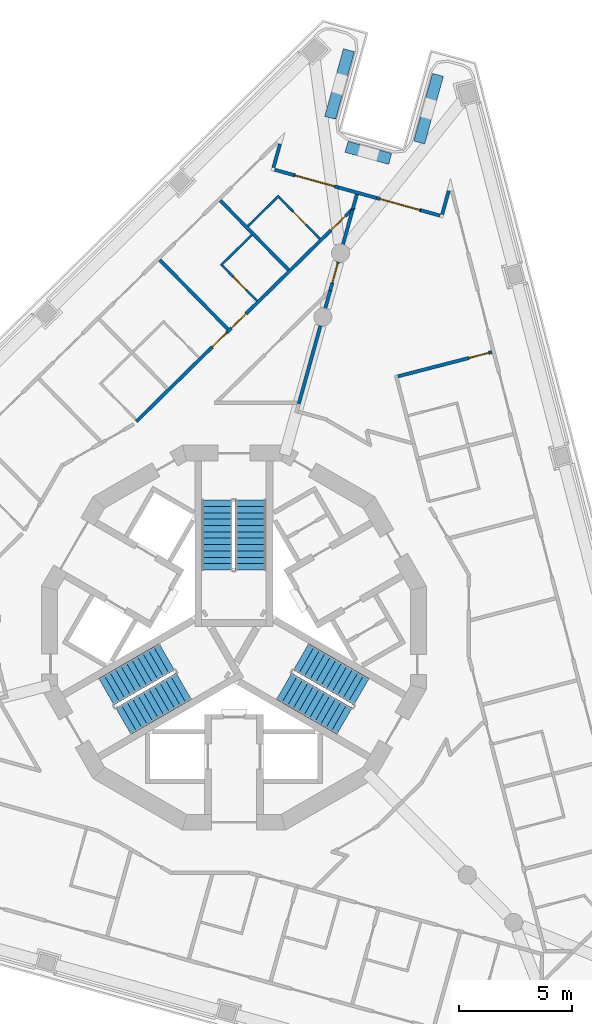
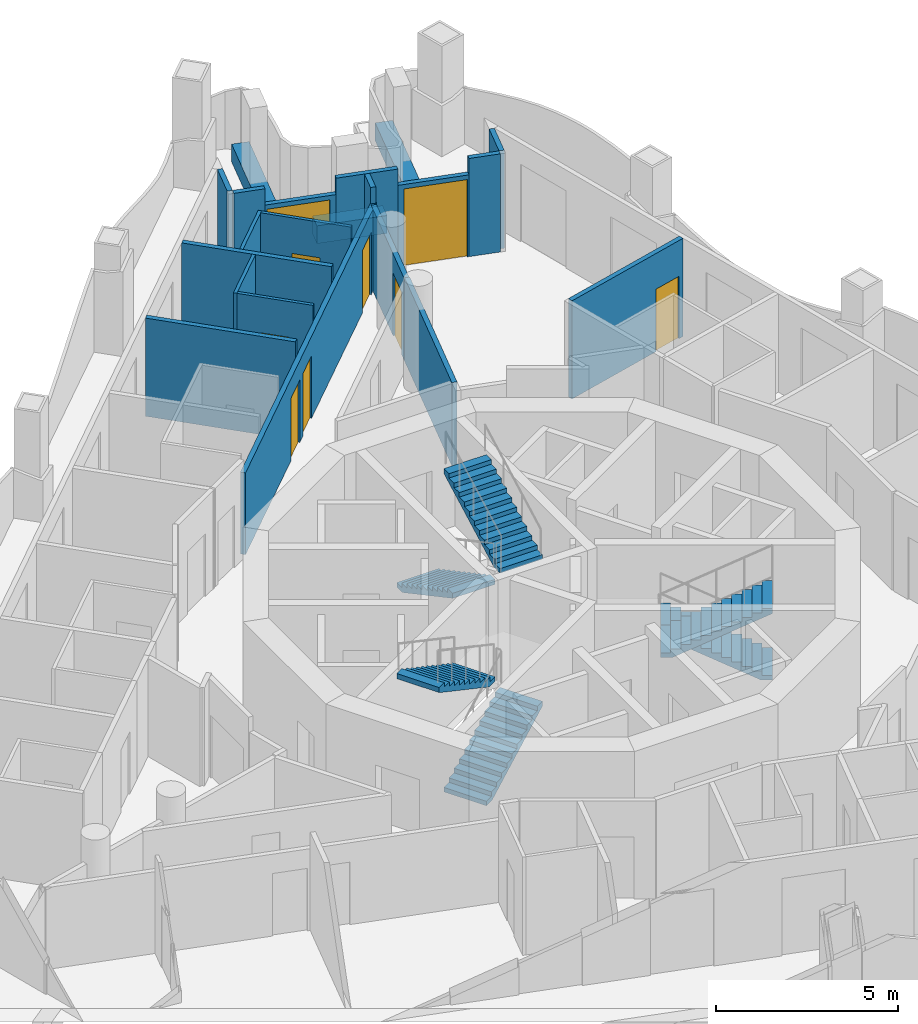
# One storey, part 8 of 14: 21 walls, 9 doors, 6 stair flights, 9 openings, 3 elements without a shape of their own.
"""IFC4 building model written with IfcOpenShell, lengths in metres."""

from ifc_helpers import new_model, si_unit, direction, frame, frame_2d, origin, place, context, subcontext, project, spatial, polyline, rectangle, outline, extrude, material, layer, layer_set, type_object, element, fill, aggregate, save


model = new_model("IFC4")

# Units and contexts
model_context = context("Model", 3, precision=1e-05, world=origin(), true_north=direction((0.0, 1.0)))
body_context = subcontext(model_context, "Body", "Model", "MODEL_VIEW")
ifc_project = project(units=[si_unit("LENGTHUNIT", "METRE"), si_unit("AREAUNIT", "SQUARE_METRE"), si_unit("VOLUMEUNIT", "CUBIC_METRE"), si_unit("PLANEANGLEUNIT", "RADIAN"), si_unit("MASSUNIT", "GRAM", prefix="KILO")], contexts=[model_context])

# Site, building, storey
site_placement = place(None, origin())
site = spatial("IfcSite", under=ifc_project, at=site_placement, CompositionType="ELEMENT")
building_placement = place(site_placement, origin())
building = spatial("IfcBuilding", under=site, at=building_placement, Name="Trine Commons Tower", CompositionType="ELEMENT")
storey_placement = place(building_placement, frame((0.0, 0.0, 242.10009765625)))
storey = spatial("IfcBuildingStorey", under=building, at=storey_placement, Name="L63", CompositionType="ELEMENT", Elevation=242.10009765625)

# Walls
ifc_material_1 = material(Name="Aluminium-framed insulated wall panel", Category="aluminium")
ifc_layer_1 = layer(ifc_material_1, 0.14990234375)
ifc_layer_set_1 = layer_set([ifc_layer_1], Name="Aluminium-framed insulated wall panel")
wall_type_1 = type_object("IfcWallType", Name="Glazed frame wall 150, EI 60", PredefinedType="SOLIDWALL", material=ifc_layer_set_1)
wall_1_placement = place(storey_placement, frame((82.07470703125, 84.444091796875, 0.0), z_axis=(0.0, 0.0, 1.0), x_axis=(-0.267185113528, -0.963645222636, 0.0)))
element("IfcWall", 1, at=wall_1_placement, inside=storey, type_object=wall_type_1, Name="Glazed frame wall R2", PredefinedType="SOLIDWALL", context=body_context, shape_type="SweptSolid", body=[
    extrude(outline(polyline([(0.1494140625, 0.074951171875), (0.1494140625, -0.074951171875), (1.235107421875, -0.074951171875), (1.235107421875, 0.074951171875), (0.1494140625, 0.074951171875)])), origin(), (0.0, 0.0, 1.0), 3.2998046875),
])
wall_2_placement = place(storey_placement, frame((81.69091796875, 83.19091796875, 0.0), z_axis=(0.0, 0.0, 1.0), x_axis=(0.963668166343, -0.267102349627, 0.0)))
element("IfcWall", 2, at=wall_2_placement, inside=storey, type_object=wall_type_1, Name="Glazed frame wall P1.1", PredefinedType="SOLIDWALL", context=body_context, shape_type="SweptSolid", body=[
    extrude(outline(polyline([(0.110107421875, -0.074951171875), (1.0, -0.074951171875), (1.0, 0.074951171875), (0.110107421875, 0.074951171875), (0.110107421875, -0.074951171875)])), origin(), (0.0, 0.0, 1.0), 3.2998046875),
])

# Wall, opening, door
wall_3_placement = place(storey_placement, frame((82.654541015625, 82.923828125, 0.0), z_axis=(0.0, 0.0, 1.0), x_axis=(0.963623378646, -0.267263884816, 0.0)))
wall_3 = element("IfcWall", 3, at=wall_3_placement, inside=storey, type_object=wall_type_1, Name="Glazed frame wall P1.2", PredefinedType="SOLIDWALL", context=body_context, shape_type="SweptSolid", body=[
    extrude(outline(polyline([(0.0, -0.074951171875), (2.021484375, -0.074951171875), (2.021484375, 0.074951171875), (0.0, 0.074951171875), (0.0, -0.074951171875)])), origin(), (0.0, 0.0, 1.0), 2.75),
])
opening_1_placement = place(wall_3_placement, frame((0.050048828125, 0.0, 0.0)))
opening_1 = element("IfcOpeningElement", 4, at=opening_1_placement, cuts=wall_3, Name="Opening BD-7P1-01", PredefinedType="OPENING", context=body_context, shape_type="SweptSolid", body=[
    extrude(rectangle(XDim=1.800048828125, YDim=2.60009765625, at=frame_2d((0.89990234375, 1.300048828125))), frame((0.0, 0.0849609375, 0.0), z_axis=(0.0, -1.0, 0.0), x_axis=(1.0, 0.0, 0.0)), (0.0, 0.0, 1.0), 0.169921875),
])
ifc_material_2 = material(Name="Anodised aluminium frame with double glazing", Category="aluminium")
door_type_1 = type_object("IfcDoorType", Name="Sliding loggia door 1800x2600", OperationType="SLIDING_TO_LEFT", PredefinedType="DOOR", material=ifc_material_2)
door_1_placement = place(opening_1_placement, origin())
door_1 = element("IfcDoor", 5, at=door_1_placement, inside=storey, type_object=door_type_1, Name="Loggia door P1 1", OperationType="SLIDING_TO_LEFT", OverallHeight=2.60009765625, OverallWidth=1.800048828125, PredefinedType="DOOR", context=body_context, shape_type="SweptSolid", body=[
    extrude(rectangle(XDim=1.800048828125, YDim=2.60009765625, at=frame_2d((0.89990234375, 1.300048828125))), frame((0.0, 0.02490234375, 0.0), z_axis=(0.0, -1.0, 0.0), x_axis=(1.0, 0.0, 0.0)), (0.0, 0.0, 1.0), 0.050048828125),
])
fill(opening_1, door_1)

# Wall
wall_4_placement = place(storey_placement, frame((84.6025390625, 82.383544921875, 0.0), z_axis=(0.0, 0.0, 1.0), x_axis=(0.963649164221, -0.267170897174, 0.0)))
element("IfcWall", 6, at=wall_4_placement, inside=storey, type_object=wall_type_1, Name="Glazed frame wall P1.3", PredefinedType="SOLIDWALL", context=body_context, shape_type="SweptSolid", body=[
    extrude(outline(polyline([(0.0, -0.074951171875), (1.757080078125, -0.074951171875), (1.757080078125, 0.074951171875), (0.0, 0.074951171875), (0.0, -0.074951171875)])), origin(), (0.0, 0.0, 1.0), 3.2998046875),
])

# Wall, opening, door
wall_5_placement = place(storey_placement, frame((86.2958984375, 81.9140625, 0.0), z_axis=(0.0, 0.0, 1.0), x_axis=(0.963614750545, -0.267294991596, 0.0)))
wall_5 = element("IfcWall", 7, at=wall_5_placement, inside=storey, type_object=wall_type_1, Name="Glazed frame wall P1.4", PredefinedType="SOLIDWALL", context=body_context, shape_type="SweptSolid", body=[
    extrude(outline(polyline([(0.0, -0.074951171875), (2.021484375, -0.074951171875), (2.021484375, 0.074951171875), (0.0, 0.074951171875), (0.0, -0.074951171875)])), origin(), (0.0, 0.0, 1.0), 2.75),
])
opening_2_placement = place(wall_5_placement, frame((0.17138671875, 0.0, 0.0)))
opening_2 = element("IfcOpeningElement", 8, at=opening_2_placement, cuts=wall_5, Name="Opening BD-7P1-02", PredefinedType="OPENING", context=body_context, shape_type="SweptSolid", body=[
    extrude(rectangle(XDim=1.800048828125, YDim=2.60009765625, at=frame_2d((0.89990234375, 1.300048828125))), frame((0.0, 0.0849609375, 0.0), z_axis=(0.0, -1.0, 0.0), x_axis=(1.0, 0.0, 0.0)), (0.0, 0.0, 1.0), 0.169921875),
])
door_2_placement = place(opening_2_placement, origin())
door_2 = element("IfcDoor", 9, at=door_2_placement, inside=storey, type_object=door_type_1, Name="Loggia door P1 2", OperationType="SLIDING_TO_LEFT", OverallHeight=2.60009765625, OverallWidth=1.800048828125, PredefinedType="DOOR", context=body_context, shape_type="SweptSolid", body=[
    extrude(rectangle(XDim=1.800048828125, YDim=2.60009765625, at=frame_2d((0.89990234375, 1.300048828125))), frame((0.0, 0.02490234375, 0.0), z_axis=(0.0, -1.0, 0.0), x_axis=(1.0, 0.0, 0.0)), (0.0, 0.0, 1.0), 0.050048828125),
])
fill(opening_2, door_2)

# Walls
wall_6_placement = place(storey_placement, frame((88.24365234375, 81.373779296875, 0.0), z_axis=(0.0, 0.0, 1.0), x_axis=(0.963668166343, -0.267102349627, 0.0)))
element("IfcWall", 10, at=wall_6_placement, inside=storey, type_object=wall_type_1, Name="Glazed frame wall P1.5", PredefinedType="SOLIDWALL", context=body_context, shape_type="SweptSolid", body=[
    extrude(outline(polyline([(0.889892578125, 0.074951171875), (0.0, 0.074951171875), (0.0, -0.074951171875), (0.889892578125, -0.074951171875), (0.889892578125, 0.074951171875)])), origin(), (0.0, 0.0, 1.0), 3.2998046875),
])
wall_7_placement = place(storey_placement, frame((89.164306640625, 81.082275390625, 0.0), z_axis=(0.0, 0.0, 1.0), x_axis=(0.267185113528, 0.963645222636, 0.0)))
element("IfcWall", 11, at=wall_7_placement, inside=storey, type_object=wall_type_1, Name="Glazed frame wall R4", PredefinedType="SOLIDWALL", context=body_context, shape_type="SweptSolid", body=[
    extrude(outline(polyline([(0.110107421875, 0.074951171875), (0.110107421875, -0.074951171875), (1.19580078125, -0.074951171875), (1.19580078125, 0.074951171875), (0.110107421875, 0.074951171875)])), origin(), (0.0, 0.0, 1.0), 3.2998046875),
])
ifc_material_3 = material(Name="Planter trough, precast concrete C40/50", Category="concrete")
ifc_layer_2 = layer(ifc_material_3, 0.5)
ifc_layer_set_2 = layer_set([ifc_layer_2], Name="Planter trough, precast concrete C40/50")
wall_type_2 = type_object("IfcWallType", Name="Planter trough 500x600", PredefinedType="PARAPET", material=ifc_layer_set_2)
wall_8_placement = place(storey_placement, frame((85.077392578125, 88.44189453125, 0.0), z_axis=(0.0, 0.0, 1.0), x_axis=(-0.267286412249, -0.96361713031, 0.0)))
element("IfcWall", 12, at=wall_8_placement, inside=storey, type_object=wall_type_2, Name="Planter 4", PredefinedType="PARAPET", context=body_context, shape_type="SweptSolid", body=[
    extrude(rectangle(XDim=3.10009765625, YDim=0.5, at=frame_2d((1.550048828125, 0.0))), origin(), (0.0, 0.0, 1.0), 0.599853515625),
])
wall_9_placement = place(storey_placement, frame((84.97314453125, 84.174560546875, 0.0), z_axis=(0.0, 0.0, 1.0), x_axis=(0.963636738571, -0.267215710759, 0.0)))
element("IfcWall", 13, at=wall_9_placement, inside=storey, type_object=wall_type_2, Name="Planter 5", PredefinedType="PARAPET", context=body_context, shape_type="SweptSolid", body=[
    extrude(rectangle(XDim=2.0, YDim=0.5, at=frame_2d((1.0, 0.0))), origin(), (0.0, 0.0, 1.0), 0.599853515625),
])
wall_10_placement = place(storey_placement, frame((88.1806640625, 84.364501953125, 0.0), z_axis=(0.0, 0.0, 1.0), x_axis=(0.267213283561, 0.963637411628, 0.0)))
element("IfcWall", 14, at=wall_10_placement, inside=storey, type_object=wall_type_2, Name="Planter 6", PredefinedType="PARAPET", context=body_context, shape_type="SweptSolid", body=[
    extrude(rectangle(XDim=3.10009765625, YDim=0.5, at=frame_2d((1.550048828125, 0.0))), origin(), (0.0, 0.0, 1.0), 0.599853515625),
])

# Wall, openings, doors
ifc_material_4 = material(Name="Gypsum plasterboard on steel stud", Category="steel")
ifc_layer_3 = layer(ifc_material_4, 0.14990234375)
ifc_layer_set_3 = layer_set([ifc_layer_3], Name="Gypsum plasterboard on steel stud")
wall_type_3 = type_object("IfcWallType", Name="Unit and corridor wall 150 mm, EI 60", PredefinedType="PARTITIONING", material=ifc_layer_set_3)
wall_11_placement = place(storey_placement, frame((75.687255859375, 72.0400390625, 0.0), z_axis=(0.0, 0.0, 1.0), x_axis=(0.713216712947, 0.700943592861, 0.0)))
wall_11 = element("IfcWall", 15, at=wall_11_placement, inside=storey, type_object=wall_type_3, Name="Partition 043", PredefinedType="PARTITIONING", context=body_context, shape_type="SweptSolid", body=[
    extrude(rectangle(XDim=13.487060546875, YDim=0.14990234375, at=frame_2d((6.74365234375, 0.0))), origin(), (0.0, 0.0, 1.0), 2.75),
])
opening_3_placement = place(wall_11_placement, frame((4.69677734375, 0.0, 0.0)))
opening_3 = element("IfcOpeningElement", 16, at=opening_3_placement, cuts=wall_11, Name="Opening D-7A09", PredefinedType="OPENING", context=body_context, shape_type="SweptSolid", body=[
    extrude(rectangle(XDim=0.89990234375, YDim=2.10009765625, at=frame_2d((0.449951171875, 1.050048828125))), frame((0.0, 0.0849609375, 0.0), z_axis=(0.0, -1.0, 0.0), x_axis=(1.0, 0.0, 0.0)), (0.0, 0.0, 1.0), 0.169921875),
])
opening_4_placement = place(wall_11_placement, frame((5.896728515625, 0.0, 0.0)))
opening_4 = element("IfcOpeningElement", 17, at=opening_4_placement, cuts=wall_11, Name="Opening D-7A10", PredefinedType="OPENING", context=body_context, shape_type="SweptSolid", body=[
    extrude(rectangle(XDim=0.89990234375, YDim=2.10009765625, at=frame_2d((0.449951171875, 1.050048828125))), frame((0.0, 0.0849609375, 0.0), z_axis=(0.0, -1.0, 0.0), x_axis=(1.0, 0.0, 0.0)), (0.0, 0.0, 1.0), 0.169921875),
])
opening_5_placement = place(wall_11_placement, frame((12.052734375, 0.0, 0.0)))
opening_5 = element("IfcOpeningElement", 18, at=opening_5_placement, cuts=wall_11, Name="Opening D-7A11", PredefinedType="OPENING", context=body_context, shape_type="SweptSolid", body=[
    extrude(rectangle(XDim=0.89990234375, YDim=2.10009765625, at=frame_2d((0.449951171875, 1.050048828125))), frame((0.0, 0.0849609375, 0.0), z_axis=(0.0, -1.0, 0.0), x_axis=(1.0, 0.0, 0.0)), (0.0, 0.0, 1.0), 0.169921875),
])
ifc_material_5 = material(Name="Timber fire door set", Category="wood")
door_type_2 = type_object("IfcDoorType", Name="Bedroom door 900 x 2100, FD30S", OperationType="NOTDEFINED", PredefinedType="DOOR", material=ifc_material_5)
door_3_placement = place(opening_3_placement, origin())
door_3 = element("IfcDoor", 19, at=door_3_placement, inside=storey, type_object=door_type_2, Name="Door D-7A09", OperationType="SINGLE_SWING_LEFT", OverallHeight=2.10009765625, OverallWidth=0.89990234375, PredefinedType="DOOR", context=body_context, shape_type="SweptSolid", body=[
    extrude(rectangle(XDim=0.89990234375, YDim=2.10009765625, at=frame_2d((0.449951171875, 1.050048828125))), frame((0.0, 0.02490234375, 0.0), z_axis=(0.0, -1.0, 0.0), x_axis=(1.0, 0.0, 0.0)), (0.0, 0.0, 1.0), 0.050048828125),
])
fill(opening_3, door_3)
door_4_placement = place(opening_4_placement, origin())
door_4 = element("IfcDoor", 20, at=door_4_placement, inside=storey, type_object=door_type_2, Name="Door D-7A10", OperationType="SINGLE_SWING_LEFT", OverallHeight=2.10009765625, OverallWidth=0.89990234375, PredefinedType="DOOR", context=body_context, shape_type="SweptSolid", body=[
    extrude(rectangle(XDim=0.89990234375, YDim=2.10009765625, at=frame_2d((0.449951171875, 1.050048828125))), frame((0.0, 0.02490234375, 0.0), z_axis=(0.0, -1.0, 0.0), x_axis=(1.0, 0.0, 0.0)), (0.0, 0.0, 1.0), 0.050048828125),
])
fill(opening_4, door_4)
door_5_placement = place(opening_5_placement, origin())
door_5 = element("IfcDoor", 21, at=door_5_placement, inside=storey, type_object=door_type_2, Name="Door D-7A11", OperationType="SINGLE_SWING_RIGHT", OverallHeight=2.10009765625, OverallWidth=0.89990234375, PredefinedType="DOOR", context=body_context, shape_type="SweptSolid", body=[
    extrude(rectangle(XDim=0.89990234375, YDim=2.10009765625, at=frame_2d((0.449951171875, 1.050048828125))), frame((0.0, 0.02490234375, 0.0), z_axis=(0.0, -1.0, 0.0), x_axis=(1.0, 0.0, 0.0)), (0.0, 0.0, 1.0), 0.050048828125),
])
fill(opening_5, door_5)

# Walls
for number, where, z_axis, x_axis, name in (
    (22, (76.72998046875, 79.177490234375, 0.0), (0.0, 0.0, 1.0), (0.70095501421, -0.713205487958, 0.0), "Partition 044"),
    (23, (79.39892578125, 81.801513671875, 0.0), (0.0, 0.0, 1.0), (0.70095501421, -0.713205487958, 0.0), "Partition 051"),
):
    element("IfcWall", number, at=place(storey_placement, frame(where, z_axis=z_axis, x_axis=x_axis)), inside=storey, type_object=wall_type_3, Name=name, PredefinedType="PARTITIONING", context=body_context, shape_type="SweptSolid", body=[
        extrude(rectangle(XDim=4.28466796875, YDim=0.14990234375, at=frame_2d((2.142333984375, 0.0))), origin(), (0.0, 0.0, 1.0), 3.2998046875),
    ])
wall_12_placement = place(storey_placement, frame((82.863037109375, 72.822998046875, 0.0), z_axis=(0.0, 0.0, 1.0), x_axis=(0.267297315726, 0.963614105857, 0.0)))
element("IfcWall", 24, at=wall_12_placement, inside=storey, type_object=wall_type_3, Name="Partition 064", PredefinedType="PARTITIONING", context=body_context, shape_type="SweptSolid", body=[
    extrude(rectangle(XDim=5.196044921875, YDim=0.14990234375, at=frame_2d((2.59814453125, 0.0))), origin(), (0.0, 0.0, 1.0), 2.7998046875),
])

# Wall, opening, door
wall_13_placement = place(storey_placement, frame((84.25, 77.826904296875, 0.0), z_axis=(0.0, 0.0, 1.0), x_axis=(0.267414329718, 0.963581639645, 0.0)))
wall_13 = element("IfcWall", 25, at=wall_13_placement, inside=storey, type_object=wall_type_3, Name="Partition 068", PredefinedType="PARTITIONING", context=body_context, shape_type="SweptSolid", body=[
    extrude(rectangle(XDim=3.675537109375, YDim=0.14990234375, at=frame_2d((1.837890625, 0.0))), origin(), (0.0, 0.0, 1.0), 2.75),
])
opening_6_placement = place(wall_13_placement, frame((0.357421875, 0.0, 0.0)))
opening_6 = element("IfcOpeningElement", 26, at=opening_6_placement, cuts=wall_13, Name="Opening D-7A01", PredefinedType="OPENING", context=body_context, shape_type="SweptSolid", body=[
    extrude(rectangle(XDim=0.89990234375, YDim=2.10009765625, at=frame_2d((0.449951171875, 1.050048828125))), frame((0.0, 0.0849609375, 0.0), z_axis=(0.0, -1.0, 0.0), x_axis=(1.0, 0.0, 0.0)), (0.0, 0.0, 1.0), 0.169921875),
])
door_type_3 = type_object("IfcDoorType", Name="Cluster entrance door 900 x 2100, FD30S", OperationType="NOTDEFINED", PredefinedType="DOOR", material=ifc_material_5)
door_6_placement = place(opening_6_placement, frame((0.89990234375, 0.0, 0.0), z_axis=(0.0, 0.0, 1.0), x_axis=(-1.0, 0.0, 0.0)))
door_6 = element("IfcDoor", 27, at=door_6_placement, inside=storey, type_object=door_type_3, Name="Door D-7A01", OperationType="SINGLE_SWING_RIGHT", OverallHeight=2.10009765625, OverallWidth=0.89990234375, PredefinedType="DOOR", context=body_context, shape_type="SweptSolid", body=[
    extrude(rectangle(XDim=0.89990234375, YDim=2.10009765625, at=frame_2d((0.449951171875, 1.050048828125))), frame((0.0, 0.02490234375, 0.0), z_axis=(0.0, -1.0, 0.0), x_axis=(1.0, 0.0, 0.0)), (0.0, 0.0, 1.0), 0.050048828125),
])
fill(opening_6, door_6)

# Wall
wall_14_placement = place(storey_placement, frame((85.25, 81.429931640625, 0.0), z_axis=(0.0, 0.0, 1.0), x_axis=(0.267118275652, 0.963663751945, 0.0)))
element("IfcWall", 28, at=wall_14_placement, inside=storey, type_object=wall_type_3, Name="Partition 073", PredefinedType="PARTITIONING", context=body_context, shape_type="SweptSolid", body=[
    extrude(rectangle(XDim=0.6708984375, YDim=0.14990234375, at=frame_2d((0.33544921875, 0.0))), origin(), (0.0, 0.0, 1.0), 3.2998046875),
])

# Wall, opening, door
wall_15_placement = place(storey_placement, frame((87.24462890625, 74.038818359375, 0.0), z_axis=(0.0, 0.0, 1.0), x_axis=(0.968129527106, 0.250450032434, 0.0)))
wall_15 = element("IfcWall", 29, at=wall_15_placement, inside=storey, type_object=wall_type_3, Name="Partition 081", PredefinedType="PARTITIONING", context=body_context, shape_type="SweptSolid", body=[
    extrude(rectangle(XDim=4.28515625, YDim=0.14990234375, at=frame_2d((2.142578125, 0.0))), origin(), (0.0, 0.0, 1.0), 3.2998046875),
])
opening_7_placement = place(wall_15_placement, frame((3.235107421875, 0.0, 0.0)))
opening_7 = element("IfcOpeningElement", 30, at=opening_7_placement, cuts=wall_15, Name="Opening D-7A12", PredefinedType="OPENING", context=body_context, shape_type="SweptSolid", body=[
    extrude(rectangle(XDim=0.89990234375, YDim=2.10009765625, at=frame_2d((0.449951171875, 1.050048828125))), frame((0.0, 0.0849609375, 0.0), z_axis=(0.0, -1.0, 0.0), x_axis=(1.0, 0.0, 0.0)), (0.0, 0.0, 1.0), 0.169921875),
])
door_7_placement = place(opening_7_placement, frame((0.89990234375, 0.0, 0.0), z_axis=(0.0, 0.0, 1.0), x_axis=(-1.0, 0.0, 0.0)))
door_7 = element("IfcDoor", 31, at=door_7_placement, inside=storey, type_object=door_type_2, Name="Door D-7A12", OperationType="SINGLE_SWING_LEFT", OverallHeight=2.10009765625, OverallWidth=0.89990234375, PredefinedType="DOOR", context=body_context, shape_type="SweptSolid", body=[
    extrude(rectangle(XDim=0.89990234375, YDim=2.10009765625, at=frame_2d((0.449951171875, 1.050048828125))), frame((0.0, 0.02490234375, 0.0), z_axis=(0.0, -1.0, 0.0), x_axis=(1.0, 0.0, 0.0)), (0.0, 0.0, 1.0), 0.050048828125),
])
fill(opening_7, door_7)

# Wall
ifc_layer_4 = layer(ifc_material_4, 0.10009765625)
ifc_layer_set_4 = layer_set([ifc_layer_4], Name="Gypsum plasterboard on steel stud")
wall_type_4 = type_object("IfcWallType", Name="Unit partition 100 mm, no rating", PredefinedType="PARTITIONING", material=ifc_layer_set_4)
wall_16_placement = place(storey_placement, frame((79.416259765625, 78.929931640625, 0.0), z_axis=(0.0, 0.0, 1.0), x_axis=(0.713293055377, 0.700865905257, 0.0)))
element("IfcWall", 32, at=wall_16_placement, inside=storey, type_object=wall_type_4, Name="Partition 052", PredefinedType="PARTITIONING", context=body_context, shape_type="SweptSolid", body=[
    extrude(rectangle(XDim=1.92529296875, YDim=0.10009765625, at=frame_2d((0.962646484375, 0.0))), origin(), (0.0, 0.0, 1.0), 3.2998046875),
])

# Wall, opening, door
wall_17_placement = place(storey_placement, frame((79.487060546875, 78.92919921875, 0.0), z_axis=(0.0, 0.0, 1.0), x_axis=(0.701018173636, -0.713143407901, 0.0)))
wall_17 = element("IfcWall", 33, at=wall_17_placement, inside=storey, type_object=wall_type_4, Name="Partition 053", PredefinedType="PARTITIONING", context=body_context, shape_type="SweptSolid", body=[
    extrude(rectangle(XDim=2.174560546875, YDim=0.10009765625, at=frame_2d((1.08740234375, 0.0))), origin(), (0.0, 0.0, 1.0), 3.2998046875),
])
opening_8_placement = place(wall_17_placement, frame((0.687255859375, 0.0, 0.0)))
opening_8 = element("IfcOpeningElement", 34, at=opening_8_placement, cuts=wall_17, Name="Opening D-7A33", PredefinedType="OPENING", context=body_context, shape_type="SweptSolid", body=[
    extrude(rectangle(XDim=0.800048828125, YDim=2.10009765625, at=frame_2d((0.39990234375, 1.050048828125))), frame((0.0, 0.06005859375, 0.0), z_axis=(0.0, -1.0, 0.0), x_axis=(1.0, 0.0, 0.0)), (0.0, 0.0, 1.0), 0.1201171875),
])
ifc_material_6 = material(Name="Painted timber", Category="wood")
door_type_4 = type_object("IfcDoorType", Name="Internal door 800 x 2100, NOT RATED", OperationType="NOTDEFINED", PredefinedType="DOOR", material=ifc_material_6)
door_8_placement = place(opening_8_placement, frame((0.800048828125, 0.0, 0.0), z_axis=(0.0, 0.0, 1.0), x_axis=(-1.0, 0.0, 0.0)))
door_8 = element("IfcDoor", 35, at=door_8_placement, inside=storey, type_object=door_type_4, Name="Door D-7A33", OperationType="SINGLE_SWING_RIGHT", OverallHeight=2.10009765625, OverallWidth=0.800048828125, PredefinedType="DOOR", context=body_context, shape_type="SweptSolid", body=[
    extrude(rectangle(XDim=0.800048828125, YDim=2.10009765625, at=frame_2d((0.39990234375, 1.050048828125))), frame((0.0, 0.02490234375, 0.0), z_axis=(0.0, -1.0, 0.0), x_axis=(1.0, 0.0, 0.0)), (0.0, 0.0, 1.0), 0.050048828125),
])
fill(opening_8, door_8)

# Wall
wall_18_placement = place(storey_placement, frame((80.616455078125, 80.669677734375, 0.0), z_axis=(0.0, 0.0, 1.0), x_axis=(0.713293055377, 0.700865905257, 0.0)))
element("IfcWall", 36, at=wall_18_placement, inside=storey, type_object=wall_type_4, Name="Partition 055", PredefinedType="PARTITIONING", context=body_context, shape_type="SweptSolid", body=[
    extrude(rectangle(XDim=1.92529296875, YDim=0.10009765625, at=frame_2d((0.962646484375, 0.0))), origin(), (0.0, 0.0, 1.0), 3.2998046875),
])

# Wall, opening, door
wall_19_placement = place(storey_placement, frame((81.989013671875, 81.9482421875, 0.0), z_axis=(0.0, 0.0, 1.0), x_axis=(0.700820910795, -0.713337263146, 0.0)))
wall_19 = element("IfcWall", 37, at=wall_19_placement, inside=storey, type_object=wall_type_4, Name="Partition 058", PredefinedType="PARTITIONING", context=body_context, shape_type="SweptSolid", body=[
    extrude(rectangle(XDim=2.57470703125, YDim=0.10009765625, at=frame_2d((1.287353515625, 0.0))), origin(), (0.0, 0.0, 1.0), 3.2998046875),
])
opening_9_placement = place(wall_19_placement, frame((0.887451171875, 0.0, 0.0)))
opening_9 = element("IfcOpeningElement", 38, at=opening_9_placement, cuts=wall_19, Name="Opening D-7A34", PredefinedType="OPENING", context=body_context, shape_type="SweptSolid", body=[
    extrude(rectangle(XDim=0.800048828125, YDim=2.10009765625, at=frame_2d((0.39990234375, 1.050048828125))), frame((0.0, 0.06005859375, 0.0), z_axis=(0.0, -1.0, 0.0), x_axis=(1.0, 0.0, 0.0)), (0.0, 0.0, 1.0), 0.1201171875),
])
door_9_placement = place(opening_9_placement, origin())
door_9 = element("IfcDoor", 39, at=door_9_placement, inside=storey, type_object=door_type_4, Name="Door D-7A34", OperationType="SINGLE_SWING_LEFT", OverallHeight=2.10009765625, OverallWidth=0.800048828125, PredefinedType="DOOR", context=body_context, shape_type="SweptSolid", body=[
    extrude(rectangle(XDim=0.800048828125, YDim=2.10009765625, at=frame_2d((0.39990234375, 1.050048828125))), frame((0.0, 0.02490234375, 0.0), z_axis=(0.0, -1.0, 0.0), x_axis=(1.0, 0.0, 0.0)), (0.0, 0.0, 1.0), 0.050048828125),
])
fill(opening_9, door_9)

# Stair, stair flights
ifc_material_7 = material(Name="Concrete C50/60", Category="concrete")
stair_type = type_object("IfcStairType", Name="Exit stair, dog-leg, 24 risers of 150 mm", PredefinedType="HALF_TURN_STAIR", material=ifc_material_7)
stair_1_placement = place(storey_placement, origin())
stair_1 = element("IfcStair", 40, at=stair_1_placement, inside=storey, type_object=stair_type, Name="L63 Exit stair ST1C", PredefinedType="HALF_TURN_STAIR")
stair_flight_type = type_object("IfcStairFlightType", Name="Stair flight, 1350 wide, 12 risers of 150 mm", PredefinedType="STRAIGHT", material=ifc_material_7)
stair_flight_1_placement = place(storey_placement, frame((79.25, 68.570556640625, 0.0), z_axis=(0.0, 0.0, 1.0), x_axis=(0.0, -1.0, 0.0)))
stair_flight_1 = element("IfcStairFlight", 41, at=stair_flight_1_placement, type_object=stair_flight_type, Name="ST1C flight 1", NumberOfRisers=12, NumberOfTreads=11, PredefinedType="STRAIGHT", RiserHeight=0.15, TreadLength=0.28, context=body_context, shape_type="SweptSolid", body=[
    extrude(outline(polyline([(0.0, 0.0), (0.0, 0.14990234375), (0.280029296875, 0.14990234375), (0.280029296875, 0.300048828125), (0.56005859375, 0.300048828125), (0.56005859375, 0.449951171875), (0.840087890625, 0.449951171875), (0.840087890625, 0.60009765625), (1.1201171875, 0.60009765625), (1.1201171875, 0.75), (1.39990234375, 0.75), (1.39990234375, 0.89990234375), (1.679931640625, 0.89990234375), (1.679931640625, 1.050048828125), (1.9599609375, 1.050048828125), (1.9599609375, 1.199951171875), (2.239990234375, 1.199951171875), (2.239990234375, 1.35009765625), (2.52001953125, 1.35009765625), (2.52001953125, 1.5), (2.800048828125, 1.5), (2.800048828125, 1.64990234375), (3.080078125, 1.64990234375), (3.080078125, 1.800048828125), (3.080078125, 1.47998046875), (0.3173828125, 0.0), (0.0, 0.0)])), frame((0.0, 0.675048828125, 0.0), z_axis=(0.0, -1.0, 0.0), x_axis=(1.0, 0.0, 0.0)), (0.0, 0.0, 1.0), 1.35009765625),
])
stair_flight_2_placement = place(storey_placement, frame((80.75, 65.490478515625, 1.7998046875), z_axis=(0.0, 0.0, 1.0), x_axis=(0.0, 1.0, 0.0)))
stair_flight_2 = element("IfcStairFlight", 42, at=stair_flight_2_placement, type_object=stair_flight_type, Name="ST1C flight 2", NumberOfRisers=12, NumberOfTreads=11, PredefinedType="STRAIGHT", RiserHeight=0.15, TreadLength=0.28, context=body_context, shape_type="SweptSolid", body=[
    extrude(outline(polyline([(0.0, 0.0), (0.0, 0.14990234375), (0.280029296875, 0.14990234375), (0.280029296875, 0.300048828125), (0.56005859375, 0.300048828125), (0.56005859375, 0.449951171875), (0.840087890625, 0.449951171875), (0.840087890625, 0.60009765625), (1.1201171875, 0.60009765625), (1.1201171875, 0.75), (1.39990234375, 0.75), (1.39990234375, 0.89990234375), (1.679931640625, 0.89990234375), (1.679931640625, 1.050048828125), (1.9599609375, 1.050048828125), (1.9599609375, 1.199951171875), (2.239990234375, 1.199951171875), (2.239990234375, 1.35009765625), (2.52001953125, 1.35009765625), (2.52001953125, 1.5), (2.800048828125, 1.5), (2.800048828125, 1.64990234375), (3.080078125, 1.64990234375), (3.080078125, 1.800048828125), (3.080078125, 1.47998046875), (0.3173828125, 0.0), (0.0, 0.0)])), frame((0.0, 0.675048828125, 0.0), z_axis=(0.0, -1.0, 0.0), x_axis=(1.0, 0.0, 0.0)), (0.0, 0.0, 1.0), 1.35009765625),
])
aggregate(stair_1, [stair_flight_1, stair_flight_2])

stair_2_placement = place(storey_placement, origin())
stair_2 = element("IfcStair", 43, at=stair_2_placement, inside=storey, type_object=stair_type, Name="L63 Exit stair ST2C", PredefinedType="HALF_TURN_STAIR")
stair_flight_3_placement = place(storey_placement, frame((75.11767578125, 58.815185546875, 0.0), z_axis=(0.0, 0.0, 1.0), x_axis=(0.866025403784, 0.5, 0.0)))
stair_flight_3 = element("IfcStairFlight", 44, at=stair_flight_3_placement, type_object=stair_flight_type, Name="ST2C flight 1", NumberOfRisers=12, NumberOfTreads=11, PredefinedType="STRAIGHT", RiserHeight=0.15, TreadLength=0.28, context=body_context, shape_type="SweptSolid", body=[
    extrude(outline(polyline([(0.0, 0.0), (0.0, 0.14990234375), (0.280029296875, 0.14990234375), (0.280029296875, 0.300048828125), (0.56005859375, 0.300048828125), (0.56005859375, 0.449951171875), (0.840087890625, 0.449951171875), (0.840087890625, 0.60009765625), (1.1201171875, 0.60009765625), (1.1201171875, 0.75), (1.39990234375, 0.75), (1.39990234375, 0.89990234375), (1.679931640625, 0.89990234375), (1.679931640625, 1.050048828125), (1.9599609375, 1.050048828125), (1.9599609375, 1.199951171875), (2.239990234375, 1.199951171875), (2.239990234375, 1.35009765625), (2.52001953125, 1.35009765625), (2.52001953125, 1.5), (2.800048828125, 1.5), (2.800048828125, 1.64990234375), (3.080078125, 1.64990234375), (3.080078125, 1.800048828125), (3.080078125, 1.47998046875), (0.3173828125, 0.0), (0.0, 0.0)])), frame((0.0, 0.675048828125, 0.0), z_axis=(0.0, -1.0, 0.0), x_axis=(1.0, 0.0, 0.0)), (0.0, 0.0, 1.0), 1.35009765625),
])
stair_flight_4_placement = place(storey_placement, frame((77.03515625, 61.654296875, 1.7998046875), z_axis=(0.0, 0.0, 1.0), x_axis=(-0.866025403784, -0.5, 0.0)))
stair_flight_4 = element("IfcStairFlight", 45, at=stair_flight_4_placement, type_object=stair_flight_type, Name="ST2C flight 2", NumberOfRisers=12, NumberOfTreads=11, PredefinedType="STRAIGHT", RiserHeight=0.15, TreadLength=0.28, context=body_context, shape_type="SweptSolid", body=[
    extrude(outline(polyline([(0.0, 0.0), (0.0, 0.14990234375), (0.280029296875, 0.14990234375), (0.280029296875, 0.300048828125), (0.56005859375, 0.300048828125), (0.56005859375, 0.449951171875), (0.840087890625, 0.449951171875), (0.840087890625, 0.60009765625), (1.1201171875, 0.60009765625), (1.1201171875, 0.75), (1.39990234375, 0.75), (1.39990234375, 0.89990234375), (1.679931640625, 0.89990234375), (1.679931640625, 1.050048828125), (1.9599609375, 1.050048828125), (1.9599609375, 1.199951171875), (2.239990234375, 1.199951171875), (2.239990234375, 1.35009765625), (2.52001953125, 1.35009765625), (2.52001953125, 1.5), (2.800048828125, 1.5), (2.800048828125, 1.64990234375), (3.080078125, 1.64990234375), (3.080078125, 1.800048828125), (3.080078125, 1.47998046875), (0.3173828125, 0.0), (0.0, 0.0)])), frame((0.0, 0.675048828125, 0.0), z_axis=(0.0, -1.0, 0.0), x_axis=(1.0, 0.0, 0.0)), (0.0, 0.0, 1.0), 1.35009765625),
])
aggregate(stair_2, [stair_flight_3, stair_flight_4])

stair_3_placement = place(storey_placement, origin())
stair_3 = element("IfcStair", 46, at=stair_3_placement, inside=storey, type_object=stair_type, Name="L63 Exit stair ST3C", PredefinedType="HALF_TURN_STAIR")
stair_flight_5_placement = place(storey_placement, frame((85.63232421875, 60.1142578125, 0.0), z_axis=(0.0, 0.0, 1.0), x_axis=(-0.866025403784, 0.5, 0.0)))
stair_flight_5 = element("IfcStairFlight", 47, at=stair_flight_5_placement, type_object=stair_flight_type, Name="ST3C flight 1", NumberOfRisers=12, NumberOfTreads=11, PredefinedType="STRAIGHT", RiserHeight=0.15, TreadLength=0.28, context=body_context, shape_type="SweptSolid", body=[
    extrude(outline(polyline([(0.0, 0.0), (0.0, 0.14990234375), (0.280029296875, 0.14990234375), (0.280029296875, 0.300048828125), (0.56005859375, 0.300048828125), (0.56005859375, 0.449951171875), (0.840087890625, 0.449951171875), (0.840087890625, 0.60009765625), (1.1201171875, 0.60009765625), (1.1201171875, 0.75), (1.39990234375, 0.75), (1.39990234375, 0.89990234375), (1.679931640625, 0.89990234375), (1.679931640625, 1.050048828125), (1.9599609375, 1.050048828125), (1.9599609375, 1.199951171875), (2.239990234375, 1.199951171875), (2.239990234375, 1.35009765625), (2.52001953125, 1.35009765625), (2.52001953125, 1.5), (2.800048828125, 1.5), (2.800048828125, 1.64990234375), (3.080078125, 1.64990234375), (3.080078125, 1.800048828125), (3.080078125, 1.47998046875), (0.3173828125, 0.0), (0.0, 0.0)])), frame((0.0, 0.675048828125, 0.0), z_axis=(0.0, -1.0, 0.0), x_axis=(1.0, 0.0, 0.0)), (0.0, 0.0, 1.0), 1.35009765625),
])
stair_flight_6_placement = place(storey_placement, frame((82.21484375, 60.355224609375, 1.7998046875), z_axis=(0.0, 0.0, 1.0), x_axis=(0.866025403784, -0.5, 0.0)))
stair_flight_6 = element("IfcStairFlight", 48, at=stair_flight_6_placement, type_object=stair_flight_type, Name="ST3C flight 2", NumberOfRisers=12, NumberOfTreads=11, PredefinedType="STRAIGHT", RiserHeight=0.15, TreadLength=0.28, context=body_context, shape_type="SweptSolid", body=[
    extrude(outline(polyline([(0.0, 0.0), (0.0, 0.14990234375), (0.280029296875, 0.14990234375), (0.280029296875, 0.300048828125), (0.56005859375, 0.300048828125), (0.56005859375, 0.449951171875), (0.840087890625, 0.449951171875), (0.840087890625, 0.60009765625), (1.1201171875, 0.60009765625), (1.1201171875, 0.75), (1.39990234375, 0.75), (1.39990234375, 0.89990234375), (1.679931640625, 0.89990234375), (1.679931640625, 1.050048828125), (1.9599609375, 1.050048828125), (1.9599609375, 1.199951171875), (2.239990234375, 1.199951171875), (2.239990234375, 1.35009765625), (2.52001953125, 1.35009765625), (2.52001953125, 1.5), (2.800048828125, 1.5), (2.800048828125, 1.64990234375), (3.080078125, 1.64990234375), (3.080078125, 1.800048828125), (3.080078125, 1.47998046875), (0.3173828125, 0.0), (0.0, 0.0)])), frame((0.0, 0.675048828125, 0.0), z_axis=(0.0, -1.0, 0.0), x_axis=(1.0, 0.0, 0.0)), (0.0, 0.0, 1.0), 1.35009765625),
])
aggregate(stair_3, [stair_flight_5, stair_flight_6])

save(model, "model.ifc")
